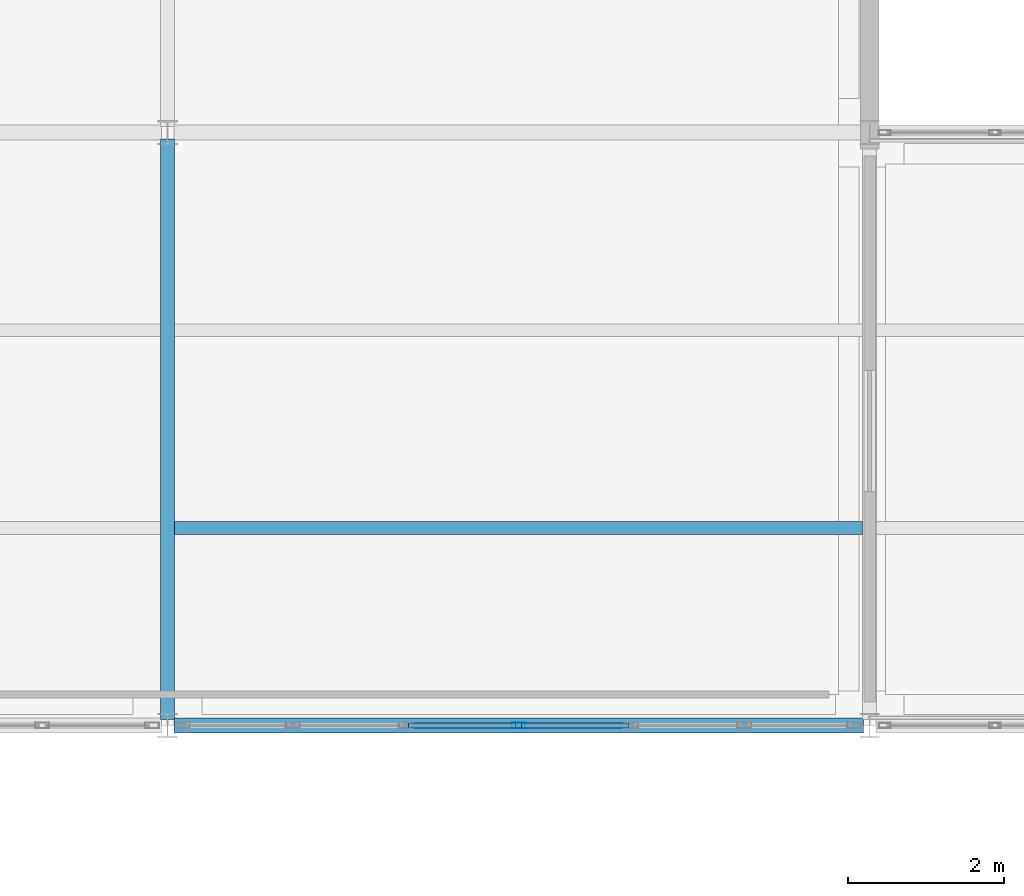
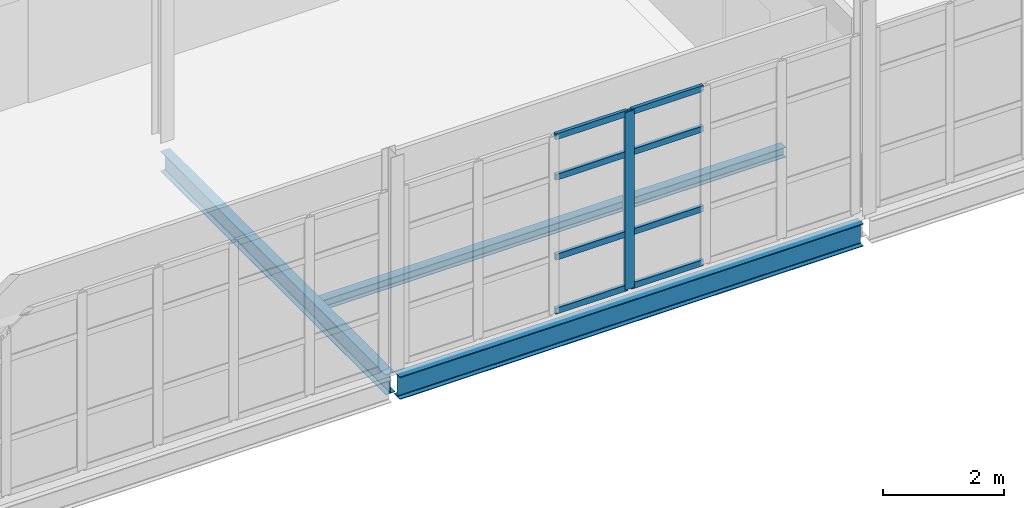
# One storey, part 87 of 174: 9 members, 3 beams, 1 element without a shape of its own.
"""IFC4 building model written with IfcOpenShell, lengths in metres."""

from ifc_helpers import new_model, si_unit, direction, frame, origin, origin_2d, place, context, subcontext, project, spatial, hollow_rectangle, i_section, extrude, material, material_profile, profile_set, type_object, element, aggregate, save


model = new_model("IFC4")

# Units and contexts
model_context = context("Model", 3, precision=1e-05, world=origin(), true_north=direction((0.0, 1.0)))
body_context = subcontext(model_context, "Body", "Model", "MODEL_VIEW")
ifc_project = project(units=[si_unit("LENGTHUNIT", "METRE"), si_unit("AREAUNIT", "SQUARE_METRE"), si_unit("VOLUMEUNIT", "CUBIC_METRE"), si_unit("PLANEANGLEUNIT", "RADIAN"), si_unit("MASSUNIT", "GRAM", prefix="KILO")], contexts=[model_context])

# Site, building, storey
site_placement = place(None, origin())
site = spatial("IfcSite", under=ifc_project, at=site_placement, CompositionType="ELEMENT")
building_placement = place(site_placement, origin())
building = spatial("IfcBuilding", under=site, at=building_placement, Name="Caisbarro Railhouse Central Library", CompositionType="ELEMENT")
storey_placement = place(building_placement, frame((0.0, 0.0, 5.0400390625)))
storey = spatial("IfcBuildingStorey", under=building, at=storey_placement, Name="L01", CompositionType="ELEMENT", Elevation=5.0400390625)

# Beams
ifc_material_1 = material(Name="Steel ASTM A572 Grade 50", Category="steel")
ifc_material_profile_1 = material_profile(ifc_material_1, i_section(OverallWidth=0.177978515625, OverallDepth=0.406982421875, WebThickness=0.0078125, FlangeThickness=0.0126953125, FilletRadius=0.01611328125, at=origin_2d()), Name="W410X60.0")
ifc_profile_set_1 = profile_set([ifc_material_profile_1], Name="Steel ASTM A572 Grade 50")
beam_type_1 = type_object("IfcBeamType", Name="BM-G10", PredefinedType="BEAM", material=ifc_profile_set_1)
beam_1_placement = place(storey_placement, frame((90.0, 83.679931640625, -0.403564453125), z_axis=(0.0, 1.0, 0.0), x_axis=(-1.0, 0.0, 0.0)))
element("IfcBeam", 1, at=beam_1_placement, inside=storey, type_object=beam_type_1, Name="G10 beam L01 #1200", PredefinedType="BEAM", context=body_context, shape_type="SweptSolid", body=[
    extrude(i_section(OverallWidth=0.177978515625, OverallDepth=0.406982421875, WebThickness=0.0078125, FlangeThickness=0.0126953125, FilletRadius=0.01611328125, at=origin_2d()), origin(), (0.0, 0.0, 1.0), 7.440185546875),
])
ifc_material_profile_2 = material_profile(ifc_material_1, i_section(OverallWidth=0.1650390625, OverallDepth=0.200927734375, WebThickness=0.006103515625, FlangeThickness=0.01025390625, FilletRadius=0.010009765625, at=origin_2d()), Name="W200X35.9")
ifc_profile_set_2 = profile_set([ifc_material_profile_2], Name="Steel ASTM A572 Grade 50")
beam_type_2 = type_object("IfcBeamType", Name="BM-J06", PredefinedType="JOIST", material=ifc_profile_set_2)
beam_2_placement = place(storey_placement, frame((90.089111328125, 86.13330078125, -0.300537109375), z_axis=(1.0, 0.0, 0.0), x_axis=(0.0, 1.0, 0.0)))
element("IfcBeam", 2, at=beam_2_placement, inside=storey, type_object=beam_type_2, Name="J06 beam L01 #1238", PredefinedType="JOIST", context=body_context, shape_type="SweptSolid", body=[
    extrude(i_section(OverallWidth=0.1650390625, OverallDepth=0.200927734375, WebThickness=0.006103515625, FlangeThickness=0.01025390625, FilletRadius=0.010009765625, at=origin_2d()), origin(), (0.0, 0.0, 1.0), 8.82177734375),
])
ifc_material_profile_3 = material_profile(ifc_material_1, i_section(OverallWidth=0.18994140625, OverallDepth=0.45703125, WebThickness=0.009033203125, FlangeThickness=0.014404296875, FilletRadius=0.01806640625, at=origin_2d()), Name="W460X74.0")
ifc_profile_set_3 = profile_set([ifc_material_profile_3], Name="Steel ASTM A572 Grade 50")
beam_type_3 = type_object("IfcBeamType", Name="BM-SP01", PredefinedType="SPANDREL", material=ifc_profile_set_3)
beam_3_placement = place(storey_placement, frame((90.080078125, 83.60009765625, -0.428466796875), z_axis=(1.0, 0.0, 0.0), x_axis=(0.0, 1.0, 0.0)))
element("IfcBeam", 3, at=beam_3_placement, inside=storey, type_object=beam_type_3, Name="SP01 beam L01 #1163", PredefinedType="SPANDREL", context=body_context, shape_type="SweptSolid", body=[
    extrude(i_section(OverallWidth=0.18994140625, OverallDepth=0.45703125, WebThickness=0.009033203125, FlangeThickness=0.014404296875, FilletRadius=0.01806640625, at=origin_2d()), origin(), (0.0, 0.0, 1.0), 8.83984375),
])

# Curtain wall, members
ifc_material_2 = material(Name="Anodised architectural aluminium", Category="aluminium")
curtain_wall_type = type_object("IfcCurtainWallType", Name="CW-CW02", PredefinedType="NOTDEFINED", material=ifc_material_2)
curtain_wall_placement = place(storey_placement, origin())
curtain_wall = element("IfcCurtainWall", 4, at=curtain_wall_placement, inside=storey, type_object=curtain_wall_type, Name="CW02 curtain wall L01 #178", PredefinedType="NOTDEFINED")
ifc_material_profile_4 = material_profile(ifc_material_2, hollow_rectangle(XDim=0.074951171875, YDim=0.179931640625, WallThickness=0.00439453125, at=origin_2d()), Name="ALU-MUL-75X180")
ifc_profile_set_4 = profile_set([ifc_material_profile_4], Name="Anodised architectural aluminium")
member_type_1 = type_object("IfcMemberType", Name="CWM-M01", PredefinedType="MULLION", material=ifc_profile_set_4)
member_1_placement = place(storey_placement, frame((94.5, 83.60009765625, 0.0), z_axis=(0.0, 0.0, 1.0), x_axis=(0.0, 1.0, 0.0)))
member_1 = element("IfcMember", 5, at=member_1_placement, type_object=member_type_1, Name="CW02 mullion 4", PredefinedType="MULLION", context=body_context, shape_type="SweptSolid", body=[
    extrude(hollow_rectangle(XDim=0.074951171875, YDim=0.179931640625, WallThickness=0.00439453125, at=origin_2d()), origin(), (0.0, 0.0, 1.0), 3.580078125),
])
ifc_material_profile_5 = material_profile(ifc_material_2, hollow_rectangle(XDim=0.06494140625, YDim=0.1201171875, WallThickness=0.00341796875, at=origin_2d()), Name="ALU-TRN-65X120")
ifc_profile_set_5 = profile_set([ifc_material_profile_5], Name="Anodised architectural aluminium")
member_type_2 = type_object("IfcMemberType", Name="CWT-T02", PredefinedType="USERDEFINED", material=ifc_profile_set_5)
member_2_placement = place(storey_placement, frame((93.0908203125, 83.60009765625, 0.032470703125), z_axis=(1.0, 0.0, 0.0), x_axis=(0.0, 1.0, 0.0)))
member_2 = element("IfcMember", 6, at=member_2_placement, type_object=member_type_2, Name="CW02 transom 3.1", ObjectType="TRANSOM", PredefinedType="USERDEFINED", context=body_context, shape_type="SweptSolid", body=[
    extrude(hollow_rectangle(XDim=0.06494140625, YDim=0.1201171875, WallThickness=0.00341796875, at=origin_2d()), origin(), (0.0, 0.0, 1.0), 1.37158203125),
])
member_3_placement = place(storey_placement, frame((93.0908203125, 83.60009765625, 1.119873046875), z_axis=(1.0, 0.0, 0.0), x_axis=(0.0, 1.0, 0.0)))
member_3 = element("IfcMember", 7, at=member_3_placement, type_object=member_type_2, Name="CW02 transom 3.2", ObjectType="TRANSOM", PredefinedType="USERDEFINED", context=body_context, shape_type="SweptSolid", body=[
    extrude(hollow_rectangle(XDim=0.06494140625, YDim=0.1201171875, WallThickness=0.00341796875, at=origin_2d()), origin(), (0.0, 0.0, 1.0), 1.37158203125),
])
member_4_placement = place(storey_placement, frame((93.0908203125, 83.60009765625, 2.72998046875), z_axis=(1.0, 0.0, 0.0), x_axis=(0.0, 1.0, 0.0)))
member_4 = element("IfcMember", 8, at=member_4_placement, type_object=member_type_2, Name="CW02 transom 3.3", ObjectType="TRANSOM", PredefinedType="USERDEFINED", context=body_context, shape_type="SweptSolid", body=[
    extrude(hollow_rectangle(XDim=0.06494140625, YDim=0.1201171875, WallThickness=0.00341796875, at=origin_2d()), origin(), (0.0, 0.0, 1.0), 1.37158203125),
])
member_5_placement = place(storey_placement, frame((93.0908203125, 83.60009765625, 3.54736328125), z_axis=(1.0, 0.0, 0.0), x_axis=(0.0, 1.0, 0.0)))
member_5 = element("IfcMember", 9, at=member_5_placement, type_object=member_type_2, Name="CW02 transom 3.4", ObjectType="TRANSOM", PredefinedType="USERDEFINED", context=body_context, shape_type="SweptSolid", body=[
    extrude(hollow_rectangle(XDim=0.06494140625, YDim=0.1201171875, WallThickness=0.00341796875, at=origin_2d()), origin(), (0.0, 0.0, 1.0), 1.37158203125),
])
member_6_placement = place(storey_placement, frame((94.53759765625, 83.60009765625, 0.032470703125), z_axis=(1.0, 0.0, 0.0), x_axis=(0.0, 1.0, 0.0)))
member_6 = element("IfcMember", 10, at=member_6_placement, type_object=member_type_2, Name="CW02 transom 4.1", ObjectType="TRANSOM", PredefinedType="USERDEFINED", context=body_context, shape_type="SweptSolid", body=[
    extrude(hollow_rectangle(XDim=0.06494140625, YDim=0.1201171875, WallThickness=0.00341796875, at=origin_2d()), origin(), (0.0, 0.0, 1.0), 1.37158203125),
])
member_7_placement = place(storey_placement, frame((94.53759765625, 83.60009765625, 1.119873046875), z_axis=(1.0, 0.0, 0.0), x_axis=(0.0, 1.0, 0.0)))
member_7 = element("IfcMember", 11, at=member_7_placement, type_object=member_type_2, Name="CW02 transom 4.2", ObjectType="TRANSOM", PredefinedType="USERDEFINED", context=body_context, shape_type="SweptSolid", body=[
    extrude(hollow_rectangle(XDim=0.06494140625, YDim=0.1201171875, WallThickness=0.00341796875, at=origin_2d()), origin(), (0.0, 0.0, 1.0), 1.37158203125),
])
member_8_placement = place(storey_placement, frame((94.53759765625, 83.60009765625, 2.72998046875), z_axis=(1.0, 0.0, 0.0), x_axis=(0.0, 1.0, 0.0)))
member_8 = element("IfcMember", 12, at=member_8_placement, type_object=member_type_2, Name="CW02 transom 4.3", ObjectType="TRANSOM", PredefinedType="USERDEFINED", context=body_context, shape_type="SweptSolid", body=[
    extrude(hollow_rectangle(XDim=0.06494140625, YDim=0.1201171875, WallThickness=0.00341796875, at=origin_2d()), origin(), (0.0, 0.0, 1.0), 1.37158203125),
])
member_9_placement = place(storey_placement, frame((94.53759765625, 83.60009765625, 3.54736328125), z_axis=(1.0, 0.0, 0.0), x_axis=(0.0, 1.0, 0.0)))
member_9 = element("IfcMember", 13, at=member_9_placement, type_object=member_type_2, Name="CW02 transom 4.4", ObjectType="TRANSOM", PredefinedType="USERDEFINED", context=body_context, shape_type="SweptSolid", body=[
    extrude(hollow_rectangle(XDim=0.06494140625, YDim=0.1201171875, WallThickness=0.00341796875, at=origin_2d()), origin(), (0.0, 0.0, 1.0), 1.37158203125),
])
aggregate(curtain_wall, [member_1, member_2, member_3, member_4, member_5, member_6, member_7, member_8, member_9])

save(model, "model.ifc")
